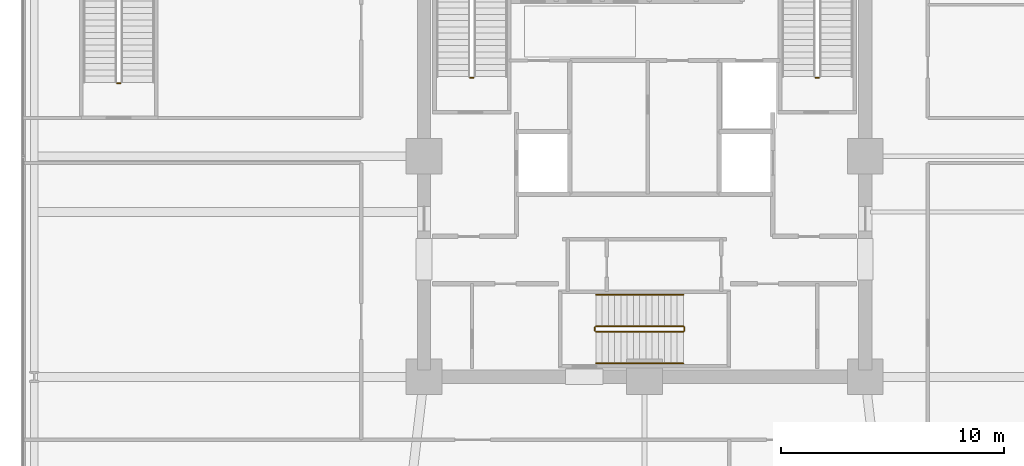
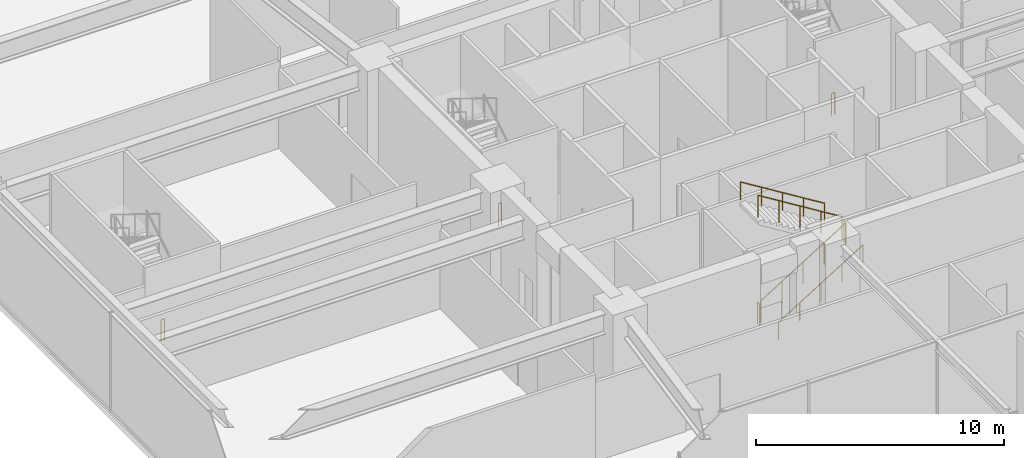
# One storey, part 46 of 49: 9 railings.
"""IFC4 building model written with IfcOpenShell, lengths in metres."""

from ifc_helpers import new_model, si_unit, direction, frame, origin, origin_2d, place, context, subcontext, project, spatial, circle, extrude, material, type_object, element, save


model = new_model("IFC4")

# Units and contexts
model_context = context("Model", 3, precision=1e-05, world=origin(), true_north=direction((0.0, 1.0)))
body_context = subcontext(model_context, "Body", "Model", "MODEL_VIEW")
ifc_project = project(units=[si_unit("LENGTHUNIT", "METRE"), si_unit("AREAUNIT", "SQUARE_METRE"), si_unit("VOLUMEUNIT", "CUBIC_METRE"), si_unit("PLANEANGLEUNIT", "RADIAN"), si_unit("MASSUNIT", "GRAM", prefix="KILO")], contexts=[model_context])

# Site, building, storey
site_placement = place(None, origin())
site = spatial("IfcSite", under=ifc_project, at=site_placement, CompositionType="ELEMENT")
building_placement = place(site_placement, origin())
building = spatial("IfcBuilding", under=site, at=building_placement, Name="Kolvaren Belvedere", CompositionType="ELEMENT")
storey_placement = place(building_placement, frame((0.0, 0.0, 10.0)))
storey = spatial("IfcBuildingStorey", under=building, at=storey_placement, Name="L03", CompositionType="ELEMENT", Elevation=10.0)

# Railings
ifc_material_1 = material(Name="Brushed stainless-steel handrail", Category="steel")
railing_type_1 = type_object("IfcRailingType", Name="RL-HANDRAIL-920", PredefinedType="HANDRAIL", material=ifc_material_1)
railing_1_placement = place(storey_placement, frame((-2.179931640625, -9.300048828125, 0.17333984375)))
element("IfcRailing", 1, at=railing_1_placement, inside=storey, type_object=railing_type_1, Name="L03 ST-3 stair handrail 1", PredefinedType="HANDRAIL", context=body_context, shape_type="SweptSolid", body=[
    extrude(circle(Radius=0.02392578125, at=origin_2d()), frame((0.0, 0.0, 0.8759765625), z_axis=(0.850251603719, 0.0, 0.526376491091), x_axis=(0.0, 1.0, 0.0)), (0.0, 0.0, 1.0), 4.6103515625),
    extrude(circle(Radius=0.02099609375, at=origin_2d()), origin(), (0.0, 0.0, 1.0), 0.851806640625),
    extrude(circle(Radius=0.02099609375, at=origin_2d()), frame((0.97998046875, 0.0, 0.606689453125)), (0.0, 0.0, 1.0), 0.851806640625),
    extrude(circle(Radius=0.02099609375, at=origin_2d()), frame((1.9599609375, 0.0, 1.21337890625)), (0.0, 0.0, 1.0), 0.851806640625),
    extrude(circle(Radius=0.02099609375, at=origin_2d()), frame((2.93994140625, 0.0, 1.820068359375)), (0.0, 0.0, 1.0), 0.851806640625),
    extrude(circle(Radius=0.02099609375, at=origin_2d()), frame((3.919921875, 0.0, 2.4267578125)), (0.0, 0.0, 1.0), 0.851806640625),
])
railing_2_placement = place(storey_placement, frame((1.739990234375, -6.2099609375, 2.7734375)))
element("IfcRailing", 2, at=railing_2_placement, inside=storey, type_object=railing_type_1, Name="L03 ST-3 stair handrail 2", PredefinedType="HANDRAIL", context=body_context, shape_type="SweptSolid", body=[
    extrude(circle(Radius=0.02392578125, at=origin_2d()), frame((0.0, 0.0, 0.8759765625), z_axis=(-0.850275303828, 0.0, 0.526338206574), x_axis=(0.0, -1.0, 0.0)), (0.0, 0.0, 1.0), 4.610107421875),
    extrude(circle(Radius=0.02099609375, at=origin_2d()), origin(), (0.0, 0.0, 1.0), 0.851806640625),
    extrude(circle(Radius=0.02099609375, at=origin_2d()), frame((-0.97998046875, 0.0, 0.606689453125)), (0.0, 0.0, 1.0), 0.851806640625),
    extrude(circle(Radius=0.02099609375, at=origin_2d()), frame((-1.9599609375, 0.0, 1.21337890625)), (0.0, 0.0, 1.0), 0.851806640625),
    extrude(circle(Radius=0.02099609375, at=origin_2d()), frame((-2.93994140625, 0.0, 1.81982421875)), (0.0, 0.0, 1.0), 0.851806640625),
    extrude(circle(Radius=0.02099609375, at=origin_2d()), frame((-3.919921875, 0.0, 2.426513671875)), (0.0, 0.0, 1.0), 0.851806640625),
])
ifc_material_2 = material(Name="Painted tubular steel stair guard", Category="steel")
railing_type_2 = type_object("IfcRailingType", Name="RL-STGUARD-1100", PredefinedType="GUARDRAIL", material=ifc_material_2)
for number, where, name in (
    (3, (-7.679931640625, 3.52001953125, 0.0), "L03 ST-1 stair guard 4"),
    (4, (7.830078125, 3.52001953125, 0.0), "L03 ST-2 stair guard 4"),
):
    element("IfcRailing", number, at=place(storey_placement, frame(where)), inside=storey, type_object=railing_type_2, Name=name, PredefinedType="GUARDRAIL", context=body_context, shape_type="SweptSolid", body=[
        extrude(circle(Radius=0.02392578125, at=origin_2d()), frame((0.0, 0.0, 1.076171875), z_axis=(-1.0, 0.0, 0.0), x_axis=(0.0, -1.0, 0.0)), (0.0, 0.0, 1.0), 0.150146484375),
        extrude(circle(Radius=0.02099609375, at=origin_2d()), origin(), (0.0, 0.0, 1.0), 1.052001953125),
        extrude(circle(Radius=0.02099609375, at=origin_2d()), frame((-0.150146484375, 0.0, 0.0)), (0.0, 0.0, 1.0), 1.052001953125),
    ])
railing_3_placement = place(storey_placement, frame((-2.179931640625, -7.8798828125, 0.17333984375)))
element("IfcRailing", 5, at=railing_3_placement, inside=storey, type_object=railing_type_2, Name="L03 ST-3 stair guard 1", PredefinedType="GUARDRAIL", context=body_context, shape_type="SweptSolid", body=[
    extrude(circle(Radius=0.02392578125, at=origin_2d()), frame((0.0, 0.0, 1.076171875), z_axis=(0.850251603719, 0.0, 0.526376491091), x_axis=(0.0, 1.0, 0.0)), (0.0, 0.0, 1.0), 4.6103515625),
    extrude(circle(Radius=0.02099609375, at=origin_2d()), origin(), (0.0, 0.0, 1.0), 1.052001953125),
    extrude(circle(Radius=0.02099609375, at=origin_2d()), frame((0.97998046875, 0.0, 0.606689453125)), (0.0, 0.0, 1.0), 1.052001953125),
    extrude(circle(Radius=0.02099609375, at=origin_2d()), frame((1.9599609375, 0.0, 1.21337890625)), (0.0, 0.0, 1.0), 1.052001953125),
    extrude(circle(Radius=0.02099609375, at=origin_2d()), frame((2.93994140625, 0.0, 1.820068359375)), (0.0, 0.0, 1.0), 1.052001953125),
    extrude(circle(Radius=0.02099609375, at=origin_2d()), frame((3.919921875, 0.0, 2.4267578125)), (0.0, 0.0, 1.0), 1.052001953125),
])
railing_4_placement = place(storey_placement, frame((1.7900390625, -7.830078125, 2.60009765625)))
element("IfcRailing", 6, at=railing_4_placement, inside=storey, type_object=railing_type_2, Name="L03 ST-3 stair guard 2", PredefinedType="GUARDRAIL", context=body_context, shape_type="SweptSolid", body=[
    extrude(circle(Radius=0.02392578125, at=origin_2d()), frame((0.0, 0.0, 1.076171875), z_axis=(0.0, 1.0, 0.0), x_axis=(-1.0, 0.0, 0.0)), (0.0, 0.0, 1.0), 0.150146484375),
    extrude(circle(Radius=0.02099609375, at=origin_2d()), origin(), (0.0, 0.0, 1.0), 1.052001953125),
    extrude(circle(Radius=0.02099609375, at=origin_2d()), frame((0.0, 0.150146484375, 0.0)), (0.0, 0.0, 1.0), 1.052001953125),
])
railing_5_placement = place(storey_placement, frame((1.739990234375, -7.6298828125, 2.7734375)))
element("IfcRailing", 7, at=railing_5_placement, inside=storey, type_object=railing_type_2, Name="L03 ST-3 stair guard 3", PredefinedType="GUARDRAIL", context=body_context, shape_type="SweptSolid", body=[
    extrude(circle(Radius=0.02392578125, at=origin_2d()), frame((0.0, 0.0, 1.076171875), z_axis=(-0.850275303828, 0.0, 0.526338206574), x_axis=(0.0, -1.0, 0.0)), (0.0, 0.0, 1.0), 4.610107421875),
    extrude(circle(Radius=0.02099609375, at=origin_2d()), origin(), (0.0, 0.0, 1.0), 1.052001953125),
    extrude(circle(Radius=0.02099609375, at=origin_2d()), frame((-0.97998046875, 0.0, 0.606689453125)), (0.0, 0.0, 1.0), 1.052001953125),
    extrude(circle(Radius=0.02099609375, at=origin_2d()), frame((-1.9599609375, 0.0, 1.21337890625)), (0.0, 0.0, 1.0), 1.052001953125),
    extrude(circle(Radius=0.02099609375, at=origin_2d()), frame((-2.93994140625, 0.0, 1.81982421875)), (0.0, 0.0, 1.0), 1.052001953125),
    extrude(circle(Radius=0.02099609375, at=origin_2d()), frame((-3.919921875, 0.0, 2.426513671875)), (0.0, 0.0, 1.0), 1.052001953125),
])
railing_6_placement = place(storey_placement, frame((-2.22998046875, -7.830078125, 0.0)))
element("IfcRailing", 8, at=railing_6_placement, inside=storey, type_object=railing_type_2, Name="L03 ST-3 stair guard 4", PredefinedType="GUARDRAIL", context=body_context, shape_type="SweptSolid", body=[
    extrude(circle(Radius=0.02392578125, at=origin_2d()), frame((0.0, 0.0, 1.076171875), z_axis=(0.0, 1.0, 0.0), x_axis=(-1.0, 0.0, 0.0)), (0.0, 0.0, 1.0), 0.150146484375),
    extrude(circle(Radius=0.02099609375, at=origin_2d()), origin(), (0.0, 0.0, 1.0), 1.052001953125),
    extrude(circle(Radius=0.02099609375, at=origin_2d()), frame((0.0, 0.150146484375, 0.0)), (0.0, 0.0, 1.0), 1.052001953125),
])
railing_7_placement = place(storey_placement, frame((-23.530029296875, 3.27001953125, 0.0)))
element("IfcRailing", 9, at=railing_7_placement, inside=storey, type_object=railing_type_2, Name="L03 ST-P1 stair guard 4", PredefinedType="GUARDRAIL", context=body_context, shape_type="SweptSolid", body=[
    extrude(circle(Radius=0.02392578125, at=origin_2d()), frame((0.0, 0.0, 1.076171875), z_axis=(-1.0, 0.0, 0.0), x_axis=(0.0, -1.0, 0.0)), (0.0, 0.0, 1.0), 0.14990234375),
    extrude(circle(Radius=0.02099609375, at=origin_2d()), origin(), (0.0, 0.0, 1.0), 1.052001953125),
    extrude(circle(Radius=0.02099609375, at=origin_2d()), frame((-0.14990234375, 0.0, 0.0)), (0.0, 0.0, 1.0), 1.052001953125),
])

save(model, "model.ifc")
